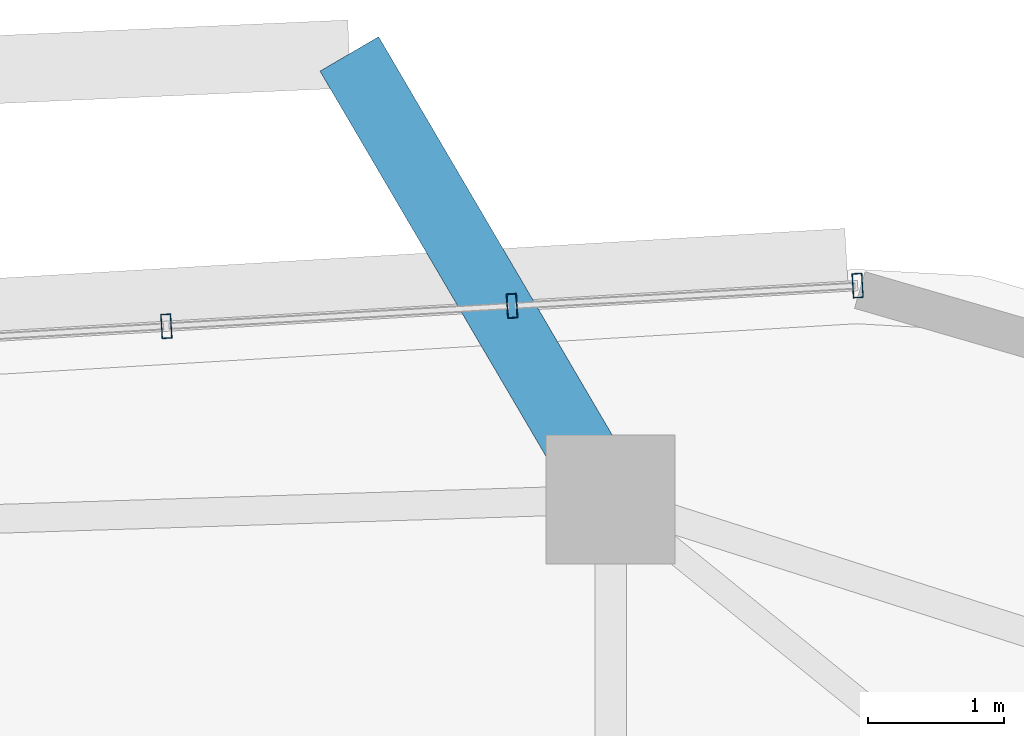
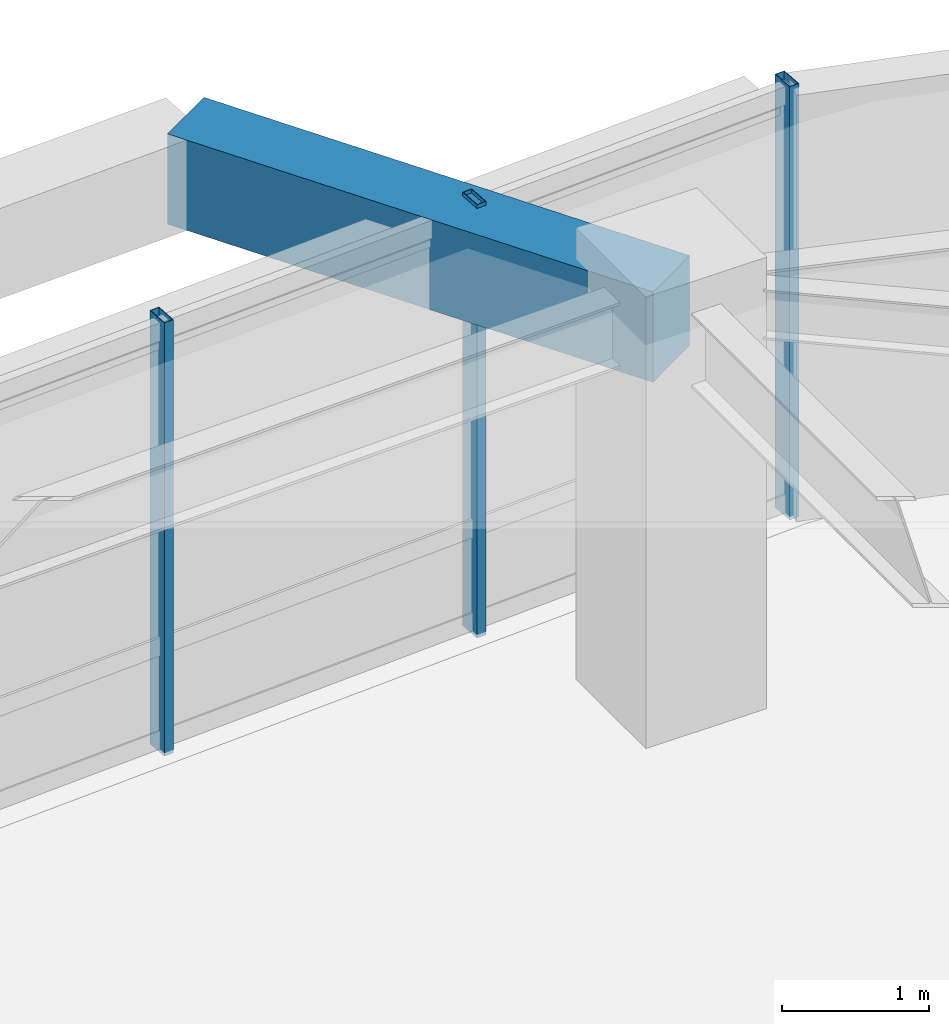
# One storey, part 6 of 15: 3 members, 1 beam, 1 element without a shape of its own.
"""IFC4 building model written with IfcOpenShell, lengths in metres."""

from ifc_helpers import new_model, si_unit, direction, frame, origin, origin_2d, place, context, subcontext, project, spatial, rectangle, hollow_rectangle, extrude, material, material_profile, profile_set, type_object, element, aggregate, save


model = new_model("IFC4")

# Units and contexts
model_context = context("Model", 3, precision=1e-05, world=origin(), true_north=direction((0.0, 1.0)))
body_context = subcontext(model_context, "Body", "Model", "MODEL_VIEW")
ifc_project = project(units=[si_unit("LENGTHUNIT", "METRE"), si_unit("AREAUNIT", "SQUARE_METRE"), si_unit("VOLUMEUNIT", "CUBIC_METRE"), si_unit("PLANEANGLEUNIT", "RADIAN"), si_unit("MASSUNIT", "GRAM", prefix="KILO")], contexts=[model_context])

# Site, building, storey
site_placement = place(None, origin())
site = spatial("IfcSite", under=ifc_project, at=site_placement, CompositionType="ELEMENT")
building_placement = place(site_placement, origin())
building = spatial("IfcBuilding", under=site, at=building_placement, Name="Zulverin Broadcast Headquarters", CompositionType="ELEMENT")
storey_placement = place(building_placement, frame((0.0, 0.0, 193.39990234375)))
storey = spatial("IfcBuildingStorey", under=building, at=storey_placement, Name="L49", CompositionType="ELEMENT", Elevation=193.39990234375)

# Beam
ifc_material_1 = material(Name="Concrete C40/50", Category="concrete")
ifc_material_profile_1 = material_profile(ifc_material_1, rectangle(XDim=0.5, YDim=0.75, at=origin_2d()), Name="Concrete C40/50", Category="concrete")
ifc_profile_set_1 = profile_set([ifc_material_profile_1], Name="Concrete C40/50")
beam_type = type_object("IfcBeamType", Name="BM-RC-500x750", PredefinedType="BEAM", material=ifc_profile_set_1)
beam_placement = place(storey_placement, frame((45.027587890625, 46.7236328125, 3.1650390625), z_axis=(-0.506062406052, 0.862496864447, 0.0), x_axis=(-0.862496864447, -0.506062406052, 0.0)))
element("IfcBeam", 1, at=beam_placement, inside=storey, type_object=beam_type, Name="L50 Balcony Column-Framed Cantilever BAL_N-1", PredefinedType="BEAM", context=body_context, shape_type="SweptSolid", body=[
    extrude(rectangle(XDim=0.5, YDim=0.75, at=origin_2d()), origin(), (0.0, 0.0, 1.0), 3.800048828125),
])

# Curtain wall, members
ifc_material_2 = material(Name="Waist wind-pressure unitised curtain wall", Category="aluminium")
curtain_wall_type = type_object("IfcCurtainWallType", Name="CW-TWR-WST", PredefinedType="USERDEFINED", material=ifc_material_2)
curtain_wall_placement = place(storey_placement, origin())
curtain_wall = element("IfcCurtainWall", 2, at=curtain_wall_placement, inside=storey, type_object=curtain_wall_type, Name="L49 Unitised Curtain Wall CW-L49-E5", ObjectType="UNITISED CURTAIN WALL", PredefinedType="USERDEFINED")
ifc_material_3 = material(Name="Anodized pale-metal aluminium alloy 6063-T6", Category="aluminium")
ifc_material_profile_2 = material_profile(ifc_material_3, hollow_rectangle(XDim=0.074951171875, YDim=0.179931640625, WallThickness=0.0048828125, at=origin_2d()), Name="Anodized pale-metal aluminium alloy 6063-T6", Category="aluminium")
ifc_profile_set_2 = profile_set([ifc_material_profile_2], Name="Anodized pale-metal aluminium alloy 6063-T6")
member_type = type_object("IfcMemberType", Name="CW-MUL-180", PredefinedType="MULLION", material=ifc_profile_set_2)
member_1_placement = place(storey_placement, frame((46.844970703125, 48.296875, -0.02978515625), z_axis=(0.0, 0.0, 1.0), x_axis=(-0.998274332859, -0.058722707319, 0.0)))
member_1 = element("IfcMember", 3, at=member_1_placement, type_object=member_type, Name="CW-L49-E5 Mullion 00", PredefinedType="MULLION", context=body_context, shape_type="SweptSolid", body=[
    extrude(hollow_rectangle(XDim=0.074951171875, YDim=0.179931640625, WallThickness=0.0048828125, at=origin_2d()), origin(), (0.0, 0.0, 1.0), 3.599853515625),
])
member_2_placement = place(storey_placement, frame((44.302001953125, 48.147216796875, -0.02978515625), z_axis=(0.0, 0.0, 1.0), x_axis=(-0.998274332859, -0.058722707319, 0.0)))
member_2 = element("IfcMember", 4, at=member_2_placement, type_object=member_type, Name="CW-L49-E5 Mullion 01", PredefinedType="MULLION", context=body_context, shape_type="SweptSolid", body=[
    extrude(hollow_rectangle(XDim=0.074951171875, YDim=0.179931640625, WallThickness=0.0048828125, at=origin_2d()), origin(), (0.0, 0.0, 1.0), 3.599853515625),
])
member_3_placement = place(storey_placement, frame((41.7587890625, 47.99755859375, -0.02978515625), z_axis=(0.0, 0.0, 1.0), x_axis=(-0.998274332859, -0.058722707319, 0.0)))
member_3 = element("IfcMember", 5, at=member_3_placement, type_object=member_type, Name="CW-L49-E5 Mullion 02", PredefinedType="MULLION", context=body_context, shape_type="SweptSolid", body=[
    extrude(hollow_rectangle(XDim=0.074951171875, YDim=0.179931640625, WallThickness=0.0048828125, at=origin_2d()), origin(), (0.0, 0.0, 1.0), 3.599853515625),
])
aggregate(curtain_wall, [member_1, member_2, member_3])

save(model, "model.ifc")
